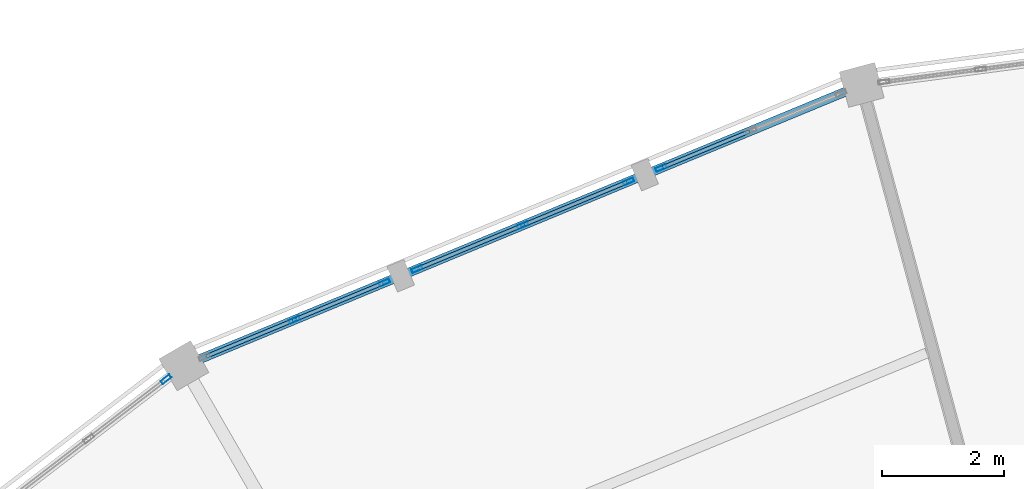
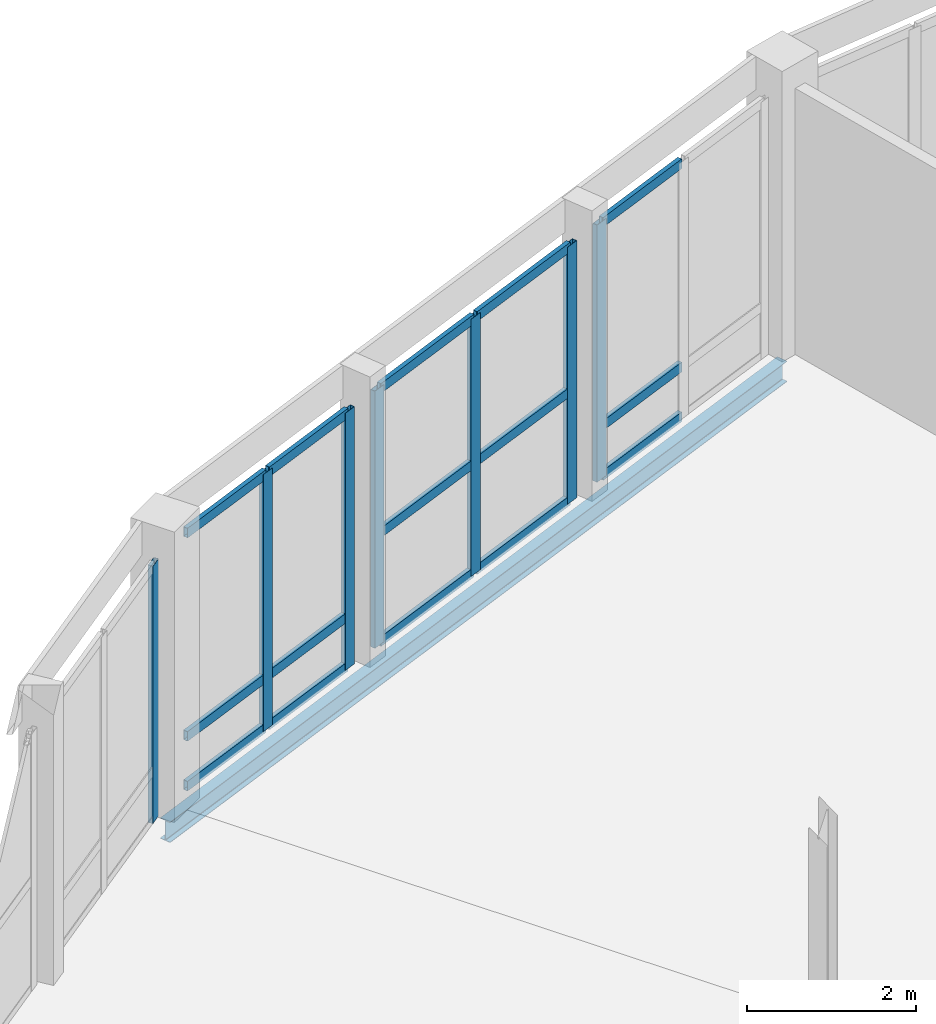
# One storey, part 95 of 200: 22 members, 1 beam, 4 elements without a shape of their own.
"""IFC4 building model written with IfcOpenShell, lengths in metres."""

from ifc_helpers import new_model, si_unit, direction, frame, origin, origin_2d, place, context, subcontext, project, spatial, hollow_rectangle, i_section, extrude, material, material_profile, profile_set, type_object, element, aggregate, save


model = new_model("IFC4")

# Units and contexts
model_context = context("Model", 3, precision=1e-05, world=origin(), true_north=direction((0.0, 1.0)))
body_context = subcontext(model_context, "Body", "Model", "MODEL_VIEW")
ifc_project = project(units=[si_unit("LENGTHUNIT", "METRE"), si_unit("AREAUNIT", "SQUARE_METRE"), si_unit("VOLUMEUNIT", "CUBIC_METRE"), si_unit("PLANEANGLEUNIT", "RADIAN"), si_unit("MASSUNIT", "GRAM", prefix="KILO")], contexts=[model_context])

# Site, building, storey
site_placement = place(None, origin())
site = spatial("IfcSite", under=ifc_project, at=site_placement, CompositionType="ELEMENT")
building_placement = place(site_placement, origin())
building = spatial("IfcBuilding", under=site, at=building_placement, Name="Vondelvale Polytechnic", CompositionType="ELEMENT")
storey_placement = place(building_placement, frame((0.0, 0.0, 13.800048828125)))
storey = spatial("IfcBuildingStorey", under=building, at=storey_placement, Name="L03", CompositionType="ELEMENT", Elevation=13.800048828125)

# Beam
ifc_material_1 = material(Name="Steel 300PLUS (fy = 300 MPa)", Category="steel")
ifc_material_profile_1 = material_profile(ifc_material_1, i_section(OverallWidth=0.14892578125, OverallDepth=0.298095703125, WebThickness=0.005615234375, FlangeThickness=0.008056640625, FilletRadius=0.011474609375, at=origin_2d()), Name="310UB32.0")
ifc_profile_set_1 = profile_set([ifc_material_profile_1], Name="Steel 300PLUS (fy = 300 MPa)")
beam_type = type_object("IfcBeamType", Name="BM-UB310L", PredefinedType="BEAM", material=ifc_profile_set_1)
beam_placement = place(storey_placement, frame((90.09423828125, 116.4326171875, -0.399169921875), z_axis=(-0.923877323614, -0.382688765072, 0.0), x_axis=(0.382688765072, -0.923877323614, 0.0)))
element("IfcBeam", 1, at=beam_placement, inside=storey, type_object=beam_type, Name="L03 RB B-25", PredefinedType="BEAM", context=body_context, shape_type="SweptSolid", body=[
    extrude(i_section(OverallWidth=0.14892578125, OverallDepth=0.298095703125, WebThickness=0.005615234375, FlangeThickness=0.008056640625, FilletRadius=0.011474609375, at=origin_2d()), origin(), (0.0, 0.0, 1.0), 12.00830078125),
])

# Curtain wall, member
ifc_material_2 = material(Name="Glulam GL18 structural Tasmanian oak (fb = 42 MPa)", Category="wood")
curtain_wall_type = type_object("IfcCurtainWallType", Name="CW-RING-OUTER", PredefinedType="NOTDEFINED", material=ifc_material_2)
curtain_wall_1_placement = place(storey_placement, origin())
curtain_wall_1 = element("IfcCurtainWall", 2, at=curtain_wall_1_placement, inside=storey, type_object=curtain_wall_type, Name="L03 architectural curtain wall CW-04-184", PredefinedType="NOTDEFINED")
ifc_material_3 = material(Name="Anodised extruded aluminium 6063-T6", Category="aluminium")
ifc_material_profile_2 = material_profile(ifc_material_3, hollow_rectangle(XDim=0.06494140625, YDim=0.179931640625, WallThickness=0.00390625, at=origin_2d()), Name="CW-MUL-180x65")
ifc_profile_set_2 = profile_set([ifc_material_profile_2], Name="Anodised extruded aluminium 6063-T6")
member_type_1 = type_object("IfcMemberType", Name="CW-MUL-65x180", PredefinedType="MULLION", material=ifc_profile_set_2)
member_1_placement = place(storey_placement, frame((86.809814453125, 115.072021484375, 0.0), z_axis=(0.0, 0.0, 1.0), x_axis=(0.382677394529, -0.923882033442, 0.0)))
member_1 = element("IfcMember", 3, at=member_1_placement, type_object=member_type_1, Name="CW-04-184 mullion 3", PredefinedType="MULLION", context=body_context, shape_type="SweptSolid", body=[
    extrude(hollow_rectangle(XDim=0.06494140625, YDim=0.179931640625, WallThickness=0.00390625, at=origin_2d()), origin(), (0.0, 0.0, 1.0), 3.719970703125),
])

# Curtain wall, members
curtain_wall_2_placement = place(storey_placement, origin())
curtain_wall_2 = element("IfcCurtainWall", 4, at=curtain_wall_2_placement, inside=storey, type_object=curtain_wall_type, Name="L03 architectural curtain wall CW-04-185", PredefinedType="NOTDEFINED")
member_2_placement = place(storey_placement, frame((86.278564453125, 114.85205078125, 0.0), z_axis=(0.0, 0.0, 1.0), x_axis=(0.382694599123, -0.92387490701, 0.0)))
member_2 = element("IfcMember", 5, at=member_2_placement, type_object=member_type_1, Name="CW-04-185 mullion 1", PredefinedType="MULLION", context=body_context, shape_type="SweptSolid", body=[
    extrude(hollow_rectangle(XDim=0.06494140625, YDim=0.179931640625, WallThickness=0.00390625, at=origin_2d()), origin(), (0.0, 0.0, 1.0), 3.719970703125),
])
member_3_placement = place(storey_placement, frame((84.547119140625, 114.135009765625, 0.0), z_axis=(0.0, 0.0, 1.0), x_axis=(0.382694599123, -0.92387490701, 0.0)))
member_3 = element("IfcMember", 6, at=member_3_placement, type_object=member_type_1, Name="CW-04-185 mullion 2", PredefinedType="MULLION", context=body_context, shape_type="SweptSolid", body=[
    extrude(hollow_rectangle(XDim=0.06494140625, YDim=0.179931640625, WallThickness=0.00390625, at=origin_2d()), origin(), (0.0, 0.0, 1.0), 3.719970703125),
])
member_4_placement = place(storey_placement, frame((82.81591796875, 113.417724609375, 0.0), z_axis=(0.0, 0.0, 1.0), x_axis=(0.382694599123, -0.92387490701, 0.0)))
member_4 = element("IfcMember", 7, at=member_4_placement, type_object=member_type_1, Name="CW-04-185 mullion 3", PredefinedType="MULLION", context=body_context, shape_type="SweptSolid", body=[
    extrude(hollow_rectangle(XDim=0.06494140625, YDim=0.179931640625, WallThickness=0.00390625, at=origin_2d()), origin(), (0.0, 0.0, 1.0), 3.719970703125),
])

curtain_wall_3_placement = place(storey_placement, origin())
curtain_wall_3 = element("IfcCurtainWall", 8, at=curtain_wall_3_placement, inside=storey, type_object=curtain_wall_type, Name="L03 architectural curtain wall CW-04-186", PredefinedType="NOTDEFINED")
member_5_placement = place(storey_placement, frame((82.28466796875, 113.19775390625, 0.0), z_axis=(0.0, 0.0, 1.0), x_axis=(0.382677394529, -0.923882033442, 0.0)))
member_5 = element("IfcMember", 9, at=member_5_placement, type_object=member_type_1, Name="CW-04-186 mullion 1", PredefinedType="MULLION", context=body_context, shape_type="SweptSolid", body=[
    extrude(hollow_rectangle(XDim=0.06494140625, YDim=0.179931640625, WallThickness=0.00390625, at=origin_2d()), origin(), (0.0, 0.0, 1.0), 3.719970703125),
])
member_6_placement = place(storey_placement, frame((80.81103515625, 112.58740234375, 0.0), z_axis=(0.0, 0.0, 1.0), x_axis=(0.382677394529, -0.923882033442, 0.0)))
member_6 = element("IfcMember", 10, at=member_6_placement, type_object=member_type_1, Name="CW-04-186 mullion 2", PredefinedType="MULLION", context=body_context, shape_type="SweptSolid", body=[
    extrude(hollow_rectangle(XDim=0.06494140625, YDim=0.179931640625, WallThickness=0.00390625, at=origin_2d()), origin(), (0.0, 0.0, 1.0), 3.719970703125),
])

# Curtain wall, member
curtain_wall_4_placement = place(storey_placement, origin())
curtain_wall_4 = element("IfcCurtainWall", 11, at=curtain_wall_4_placement, inside=storey, type_object=curtain_wall_type, Name="L03 architectural curtain wall CW-04-203", PredefinedType="NOTDEFINED")
member_7_placement = place(storey_placement, frame((78.710205078125, 111.614990234375, 0.0), z_axis=(0.0, 0.0, 1.0), x_axis=(0.608786860133, -0.793333825656, 0.0)))
member_7 = element("IfcMember", 12, at=member_7_placement, type_object=member_type_1, Name="CW-04-203 mullion 1", PredefinedType="MULLION", context=body_context, shape_type="SweptSolid", body=[
    extrude(hollow_rectangle(XDim=0.06494140625, YDim=0.179931640625, WallThickness=0.00390625, at=origin_2d()), origin(), (0.0, 0.0, 1.0), 3.719970703125),
])
aggregate(curtain_wall_4, [member_7])

# Member
ifc_material_profile_3 = material_profile(ifc_material_3, hollow_rectangle(XDim=0.06005859375, YDim=0.139892578125, WallThickness=0.00341796875, at=origin_2d()), Name="CW-TRN-140x60")
ifc_profile_set_3 = profile_set([ifc_material_profile_3], Name="Anodised extruded aluminium 6063-T6")
member_type_2 = type_object("IfcMemberType", Name="CW-TRN-60x140", PredefinedType="USERDEFINED", material=ifc_profile_set_3)
member_8_placement = place(storey_placement, frame((88.253173828125, 115.670166015625, 0.030029296875), z_axis=(-0.923816459452, -0.382835668721, 0.0), x_axis=(0.382835668721, -0.923816459452, 0.0)))
member_8 = element("IfcMember", 13, at=member_8_placement, type_object=member_type_2, Name="CW-04-184 transom 2.1", ObjectType="TRANSOM", PredefinedType="USERDEFINED", context=body_context, shape_type="SweptSolid", body=[
    extrude(hollow_rectangle(XDim=0.06005859375, YDim=0.139892578125, WallThickness=0.00341796875, at=origin_2d()), origin(), (0.0, 0.0, 1.0), 1.52978515625),
])

member_9_placement = place(storey_placement, frame((88.253173828125, 115.670166015625, 0.75), z_axis=(-0.923816459452, -0.382835668721, 0.0), x_axis=(0.382835668721, -0.923816459452, 0.0)))
member_9 = element("IfcMember", 14, at=member_9_placement, type_object=member_type_2, Name="CW-04-184 transom 2.2", ObjectType="TRANSOM", PredefinedType="USERDEFINED", context=body_context, shape_type="SweptSolid", body=[
    extrude(hollow_rectangle(XDim=0.06005859375, YDim=0.139892578125, WallThickness=0.00341796875, at=origin_2d()), origin(), (0.0, 0.0, 1.0), 1.52978515625),
])

member_10_placement = place(storey_placement, frame((88.253173828125, 115.670166015625, 3.68994140625), z_axis=(-0.923816459452, -0.382835668721, 0.0), x_axis=(0.382835668721, -0.923816459452, 0.0)))
member_10 = element("IfcMember", 15, at=member_10_placement, type_object=member_type_2, Name="CW-04-184 transom 2.3", ObjectType="TRANSOM", PredefinedType="USERDEFINED", context=body_context, shape_type="SweptSolid", body=[
    extrude(hollow_rectangle(XDim=0.06005859375, YDim=0.139892578125, WallThickness=0.00341796875, at=origin_2d()), origin(), (0.0, 0.0, 1.0), 1.52978515625),
])

aggregate(curtain_wall_1, [member_1, member_8, member_9, member_10])

member_11_placement = place(storey_placement, frame((86.24853515625, 114.839599609375, 0.030029296875), z_axis=(-0.923865506878, -0.382717291485, 0.0), x_axis=(0.382717291485, -0.923865506878, 0.0)))
member_11 = element("IfcMember", 16, at=member_11_placement, type_object=member_type_2, Name="CW-04-185 transom 1.1", ObjectType="TRANSOM", PredefinedType="USERDEFINED", context=body_context, shape_type="SweptSolid", body=[
    extrude(hollow_rectangle(XDim=0.06005859375, YDim=0.139892578125, WallThickness=0.00341796875, at=origin_2d()), origin(), (0.0, 0.0, 1.0), 1.80908203125),
])

member_12_placement = place(storey_placement, frame((86.24853515625, 114.839599609375, 1.599853515625), z_axis=(-0.923865506878, -0.382717291485, 0.0), x_axis=(0.382717291485, -0.923865506878, 0.0)))
member_12 = element("IfcMember", 17, at=member_12_placement, type_object=member_type_2, Name="CW-04-185 transom 1.2", ObjectType="TRANSOM", PredefinedType="USERDEFINED", context=body_context, shape_type="SweptSolid", body=[
    extrude(hollow_rectangle(XDim=0.06005859375, YDim=0.139892578125, WallThickness=0.00341796875, at=origin_2d()), origin(), (0.0, 0.0, 1.0), 1.80908203125),
])

member_13_placement = place(storey_placement, frame((86.24853515625, 114.839599609375, 3.68994140625), z_axis=(-0.923865506878, -0.382717291485, 0.0), x_axis=(0.382717291485, -0.923865506878, 0.0)))
member_13 = element("IfcMember", 18, at=member_13_placement, type_object=member_type_2, Name="CW-04-185 transom 1.3", ObjectType="TRANSOM", PredefinedType="USERDEFINED", context=body_context, shape_type="SweptSolid", body=[
    extrude(hollow_rectangle(XDim=0.06005859375, YDim=0.139892578125, WallThickness=0.00341796875, at=origin_2d()), origin(), (0.0, 0.0, 1.0), 1.80908203125),
])

member_14_placement = place(storey_placement, frame((84.51708984375, 114.12255859375, 0.030029296875), z_axis=(-0.92384573676, -0.382765012338, 0.0), x_axis=(0.382765012338, -0.92384573676, 0.0)))
member_14 = element("IfcMember", 19, at=member_14_placement, type_object=member_type_2, Name="CW-04-185 transom 2.1", ObjectType="TRANSOM", PredefinedType="USERDEFINED", context=body_context, shape_type="SweptSolid", body=[
    extrude(hollow_rectangle(XDim=0.06005859375, YDim=0.139892578125, WallThickness=0.00341796875, at=origin_2d()), origin(), (0.0, 0.0, 1.0), 1.808837890625),
])

member_15_placement = place(storey_placement, frame((84.51708984375, 114.12255859375, 1.599853515625), z_axis=(-0.92384573676, -0.382765012338, 0.0), x_axis=(0.382765012338, -0.92384573676, 0.0)))
member_15 = element("IfcMember", 20, at=member_15_placement, type_object=member_type_2, Name="CW-04-185 transom 2.2", ObjectType="TRANSOM", PredefinedType="USERDEFINED", context=body_context, shape_type="SweptSolid", body=[
    extrude(hollow_rectangle(XDim=0.06005859375, YDim=0.139892578125, WallThickness=0.00341796875, at=origin_2d()), origin(), (0.0, 0.0, 1.0), 1.808837890625),
])

member_16_placement = place(storey_placement, frame((84.51708984375, 114.12255859375, 3.68994140625), z_axis=(-0.92384573676, -0.382765012338, 0.0), x_axis=(0.382765012338, -0.92384573676, 0.0)))
member_16 = element("IfcMember", 21, at=member_16_placement, type_object=member_type_2, Name="CW-04-185 transom 2.3", ObjectType="TRANSOM", PredefinedType="USERDEFINED", context=body_context, shape_type="SweptSolid", body=[
    extrude(hollow_rectangle(XDim=0.06005859375, YDim=0.139892578125, WallThickness=0.00341796875, at=origin_2d()), origin(), (0.0, 0.0, 1.0), 1.808837890625),
])

aggregate(curtain_wall_2, [member_2, member_3, member_4, member_11, member_12, member_13, member_14, member_15, member_16])

member_17_placement = place(storey_placement, frame((82.254638671875, 113.185302734375, 0.030029296875), z_axis=(-0.923896260346, -0.382643045304, 0.0), x_axis=(0.382643045304, -0.923896260346, 0.0)))
member_17 = element("IfcMember", 22, at=member_17_placement, type_object=member_type_2, Name="CW-04-186 transom 1.1", ObjectType="TRANSOM", PredefinedType="USERDEFINED", context=body_context, shape_type="SweptSolid", body=[
    extrude(hollow_rectangle(XDim=0.06005859375, YDim=0.139892578125, WallThickness=0.00341796875, at=origin_2d()), origin(), (0.0, 0.0, 1.0), 1.530029296875),
])

member_18_placement = place(storey_placement, frame((82.254638671875, 113.185302734375, 0.75), z_axis=(-0.923896260346, -0.382643045304, 0.0), x_axis=(0.382643045304, -0.923896260346, 0.0)))
member_18 = element("IfcMember", 23, at=member_18_placement, type_object=member_type_2, Name="CW-04-186 transom 1.2", ObjectType="TRANSOM", PredefinedType="USERDEFINED", context=body_context, shape_type="SweptSolid", body=[
    extrude(hollow_rectangle(XDim=0.06005859375, YDim=0.139892578125, WallThickness=0.00341796875, at=origin_2d()), origin(), (0.0, 0.0, 1.0), 1.530029296875),
])

member_19_placement = place(storey_placement, frame((82.254638671875, 113.185302734375, 3.68994140625), z_axis=(-0.923896260346, -0.382643045304, 0.0), x_axis=(0.382643045304, -0.923896260346, 0.0)))
member_19 = element("IfcMember", 24, at=member_19_placement, type_object=member_type_2, Name="CW-04-186 transom 1.3", ObjectType="TRANSOM", PredefinedType="USERDEFINED", context=body_context, shape_type="SweptSolid", body=[
    extrude(hollow_rectangle(XDim=0.06005859375, YDim=0.139892578125, WallThickness=0.00341796875, at=origin_2d()), origin(), (0.0, 0.0, 1.0), 1.530029296875),
])

member_20_placement = place(storey_placement, frame((80.781005859375, 112.574951171875, 0.030029296875), z_axis=(-0.923839843027, -0.382779237206, 0.0), x_axis=(0.382779237206, -0.923839843027, 0.0)))
member_20 = element("IfcMember", 25, at=member_20_placement, type_object=member_type_2, Name="CW-04-186 transom 2.1", ObjectType="TRANSOM", PredefinedType="USERDEFINED", context=body_context, shape_type="SweptSolid", body=[
    extrude(hollow_rectangle(XDim=0.06005859375, YDim=0.139892578125, WallThickness=0.00341796875, at=origin_2d()), origin(), (0.0, 0.0, 1.0), 1.530029296875),
])

member_21_placement = place(storey_placement, frame((80.781005859375, 112.574951171875, 0.75), z_axis=(-0.923839843027, -0.382779237206, 0.0), x_axis=(0.382779237206, -0.923839843027, 0.0)))
member_21 = element("IfcMember", 26, at=member_21_placement, type_object=member_type_2, Name="CW-04-186 transom 2.2", ObjectType="TRANSOM", PredefinedType="USERDEFINED", context=body_context, shape_type="SweptSolid", body=[
    extrude(hollow_rectangle(XDim=0.06005859375, YDim=0.139892578125, WallThickness=0.00341796875, at=origin_2d()), origin(), (0.0, 0.0, 1.0), 1.530029296875),
])

member_22_placement = place(storey_placement, frame((80.781005859375, 112.574951171875, 3.68994140625), z_axis=(-0.923839843027, -0.382779237206, 0.0), x_axis=(0.382779237206, -0.923839843027, 0.0)))
member_22 = element("IfcMember", 27, at=member_22_placement, type_object=member_type_2, Name="CW-04-186 transom 2.3", ObjectType="TRANSOM", PredefinedType="USERDEFINED", context=body_context, shape_type="SweptSolid", body=[
    extrude(hollow_rectangle(XDim=0.06005859375, YDim=0.139892578125, WallThickness=0.00341796875, at=origin_2d()), origin(), (0.0, 0.0, 1.0), 1.530029296875),
])

aggregate(curtain_wall_3, [member_5, member_6, member_17, member_18, member_19, member_20, member_21, member_22])

save(model, "model.ifc")
